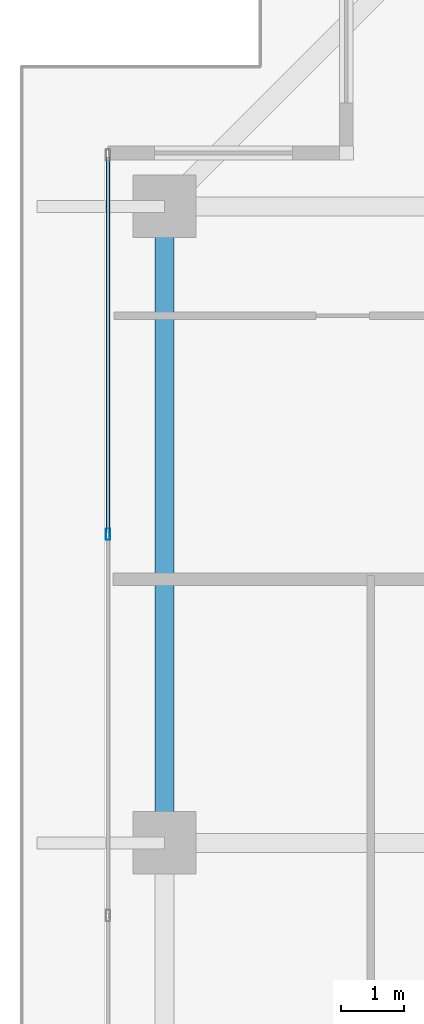
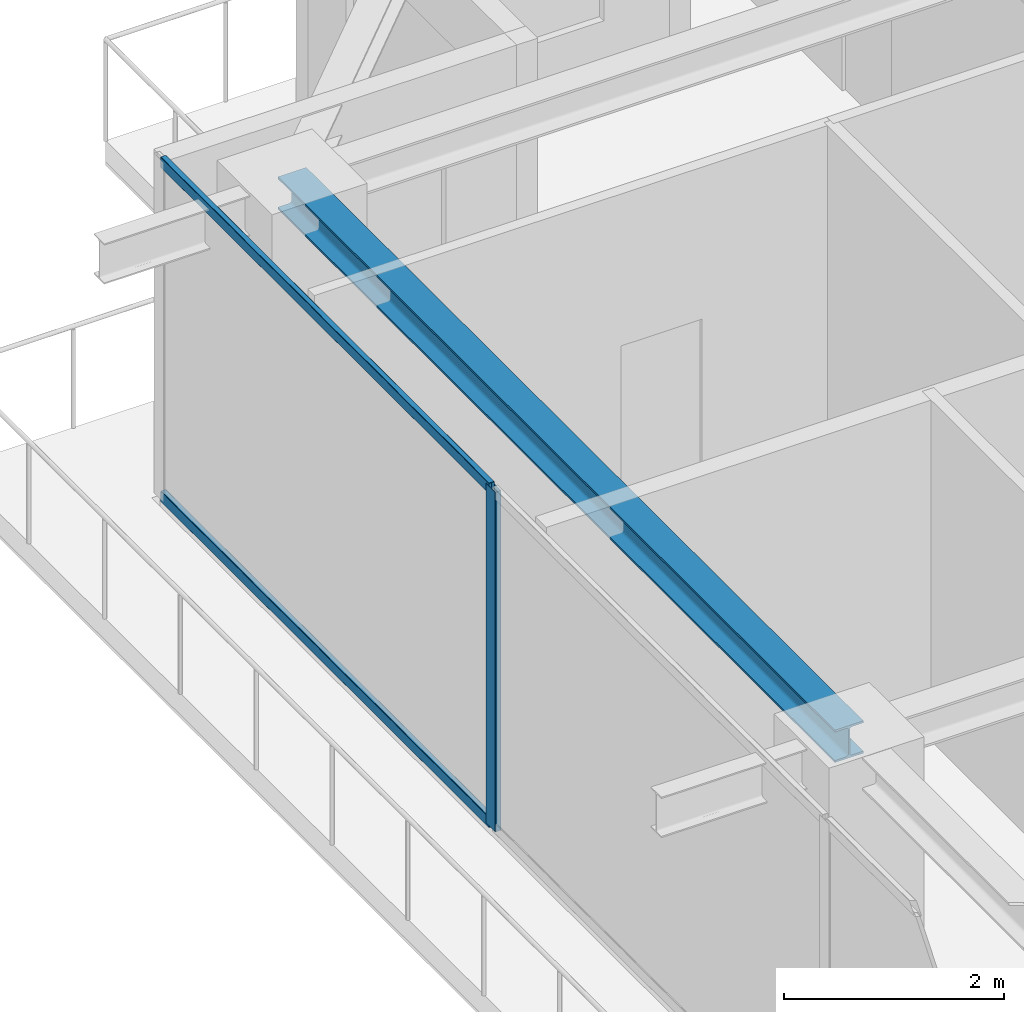
# One storey, part 19 of 42: 3 members, 1 beam, 1 element without a shape of its own.
"""IFC4 building model written with IfcOpenShell, lengths in metres."""

from ifc_helpers import new_model, si_unit, direction, frame, origin, origin_2d, place, context, subcontext, project, spatial, hollow_rectangle, i_section, extrude, source, transform, mapped, material, layer, layer_set, material_profile, profile_set, type_object, element, aggregate, save


model = new_model("IFC4")

# Units and contexts
model_context = context("Model", 3, precision=1e-05, world=origin(), true_north=direction((0.0, 1.0)))
body_context = subcontext(model_context, "Body", "Model", "MODEL_VIEW")
ifc_project = project(units=[si_unit("LENGTHUNIT", "METRE"), si_unit("AREAUNIT", "SQUARE_METRE"), si_unit("VOLUMEUNIT", "CUBIC_METRE"), si_unit("PLANEANGLEUNIT", "RADIAN"), si_unit("MASSUNIT", "GRAM", prefix="KILO")], contexts=[model_context])

# Site, building, storey
site_placement = place(None, origin())
site = spatial("IfcSite", under=ifc_project, at=site_placement, CompositionType="ELEMENT")
building_placement = place(site_placement, origin())
building = spatial("IfcBuilding", under=site, at=building_placement, Name="Serunith Strait Residences", CompositionType="ELEMENT")
storey_placement = place(building_placement, frame((0.0, 0.0, 309.64990234375)))
storey = spatial("IfcBuildingStorey", under=building, at=storey_placement, Name="L77", CompositionType="ELEMENT", Elevation=309.64990234375)

# Beam
ifc_material_1 = material(Name="Steel S355J2", Category="steel")
ifc_material_profile_1 = material_profile(ifc_material_1, i_section(OverallWidth=0.300048828125, OverallDepth=0.360107421875, WebThickness=0.012451171875, FlangeThickness=0.0224609375, FilletRadius=0.027099609375, at=origin_2d()), Name="HEB 360")
ifc_profile_set_1 = profile_set([ifc_material_profile_1], Name="Steel S355J2")
beam_type = type_object("IfcBeamType", Name="BM-HEB360", PredefinedType="BEAM", material=ifc_profile_set_1)
shared_shape_1 = source(origin(), body_context, "Body", "SweptSolid", [
    extrude(i_section(OverallWidth=0.300048828125, OverallDepth=0.360107421875, WebThickness=0.012451171875, FlangeThickness=0.0224609375, FilletRadius=0.027099609375, at=origin_2d()), origin(), (0.0, 0.0, 1.0), 10.150146484375),
])
beam_placement = place(storey_placement, frame((10.10009765625, 39.550048828125, 3.607177734375), z_axis=(0.0, -1.0, 0.0), x_axis=(1.0, 0.0, 0.0)))
element("IfcBeam", 1, at=beam_placement, inside=storey, type_object=beam_type, Name="L77 Perimeter Ring Beam 13", PredefinedType="BEAM", context=body_context, shape_type="MappedRepresentation", body=[
    mapped(shared_shape_1, transform((0.0, 0.0, 0.0), scale=1.0)),
])

# Curtain wall, members
ifc_material_2 = material(Name="Brushed Stainless-Silver Aluminium", Category="aluminium")
ifc_layer = layer(ifc_material_2, 0.199951171875, Name="Brushed Stainless-Silver Aluminium")
ifc_layer_set = layer_set([ifc_layer], Name="Brushed Stainless-Silver Aluminium")
curtain_wall_type = type_object("IfcCurtainWallType", Name="CW-SYS5", PredefinedType="NOTDEFINED", material=ifc_layer_set)
curtain_wall_placement = place(storey_placement, origin())
curtain_wall = element("IfcCurtainWall", 2, at=curtain_wall_placement, inside=storey, type_object=curtain_wall_type, Name="L77 W Unitised Fritted Curtain Wall", PredefinedType="NOTDEFINED")
ifc_material_profile_2 = material_profile(ifc_material_2, hollow_rectangle(XDim=0.06494140625, YDim=0.179931640625, WallThickness=0.00341796875, InnerFilletRadius=0.00537109375, OuterFilletRadius=0.0087890625, at=origin_2d()), Name="ALU 180x65x3.5")
ifc_profile_set_2 = profile_set([ifc_material_profile_2], Name="Brushed Stainless-Silver Aluminium")
member_type_1 = type_object("IfcMemberType", Name="CW-SYS5-MULL", PredefinedType="MULLION", material=ifc_profile_set_2)
shared_shape_2 = source(origin(), body_context, "Body", "SweptSolid", [
    extrude(hollow_rectangle(XDim=0.06494140625, YDim=0.179931640625, WallThickness=0.00341796875, InnerFilletRadius=0.00537109375, OuterFilletRadius=0.0087890625, at=origin_2d()), origin(), (0.0, 0.0, 1.0), 3.775146484375),
])
member_1_placement = place(storey_placement, frame((9.199951171875, 34.320068359375, 0.0), z_axis=(0.0, 0.0, 1.0), x_axis=(1.0, 0.0, 0.0)))
member_1 = element("IfcMember", 3, at=member_1_placement, type_object=member_type_1, Name="CW-5 mullion 2", PredefinedType="MULLION", context=body_context, shape_type="MappedRepresentation", body=[
    mapped(shared_shape_2, transform((0.0, 0.0, 0.0), scale=1.0)),
])
ifc_material_profile_3 = material_profile(ifc_material_2, hollow_rectangle(XDim=0.06005859375, YDim=0.1201171875, WallThickness=0.00341796875, InnerFilletRadius=0.00537109375, OuterFilletRadius=0.0087890625, at=origin_2d()), Name="ALU 120x60x3.5")
ifc_profile_set_3 = profile_set([ifc_material_profile_3], Name="Brushed Stainless-Silver Aluminium")
member_type_2 = type_object("IfcMemberType", Name="CW-SYS5-TRAN", PredefinedType="USERDEFINED", material=ifc_profile_set_3)
shared_shape_3 = source(origin(), body_context, "Body", "SweptSolid", [
    extrude(hollow_rectangle(XDim=0.06005859375, YDim=0.1201171875, WallThickness=0.00341796875, InnerFilletRadius=0.00537109375, OuterFilletRadius=0.0087890625, at=origin_2d()), origin(), (0.0, 0.0, 1.0), 5.982421875),
])
member_2_placement = place(storey_placement, frame((9.199951171875, 40.3349609375, 0.030029296875), z_axis=(0.0, -1.0, 0.0), x_axis=(1.0, 0.0, 0.0)))
member_2 = element("IfcMember", 4, at=member_2_placement, type_object=member_type_2, Name="CW-5 transom 1.1", ObjectType="TRANSOM", PredefinedType="USERDEFINED", context=body_context, shape_type="MappedRepresentation", body=[
    mapped(shared_shape_3, transform((0.0, 0.0, 0.0), scale=1.0)),
])
member_3_placement = place(storey_placement, frame((9.199951171875, 40.3349609375, 3.7451171875), z_axis=(0.0, -1.0, 0.0), x_axis=(1.0, 0.0, 0.0)))
member_3 = element("IfcMember", 5, at=member_3_placement, type_object=member_type_2, Name="CW-5 transom 1.2", ObjectType="TRANSOM", PredefinedType="USERDEFINED", context=body_context, shape_type="MappedRepresentation", body=[
    mapped(shared_shape_3, transform((0.0, 0.0, 0.0), scale=1.0)),
])
aggregate(curtain_wall, [member_1, member_2, member_3])

save(model, "model.ifc")
